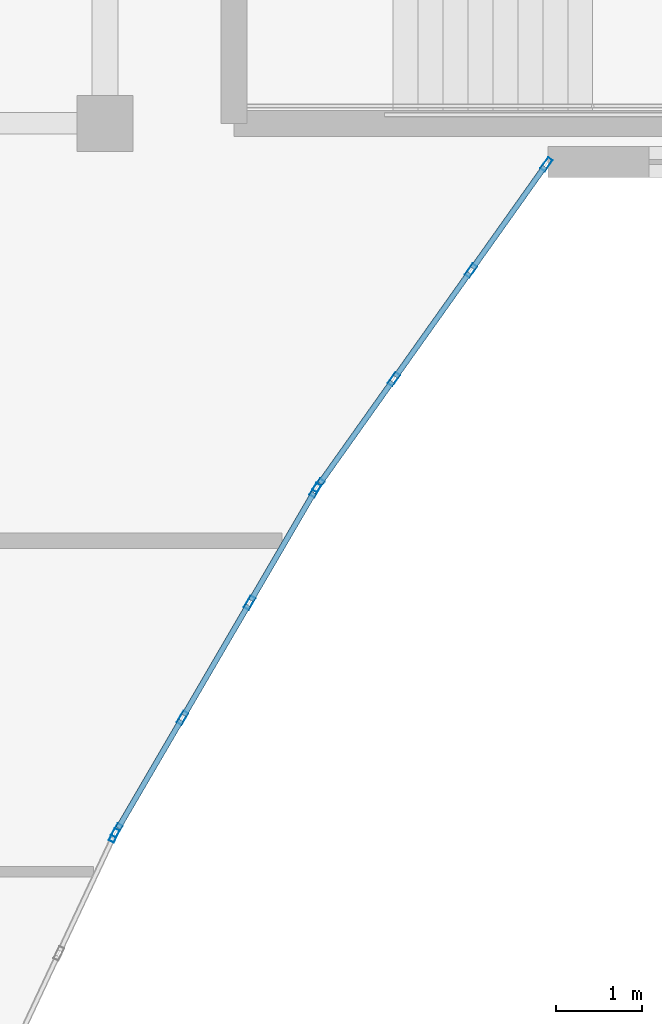
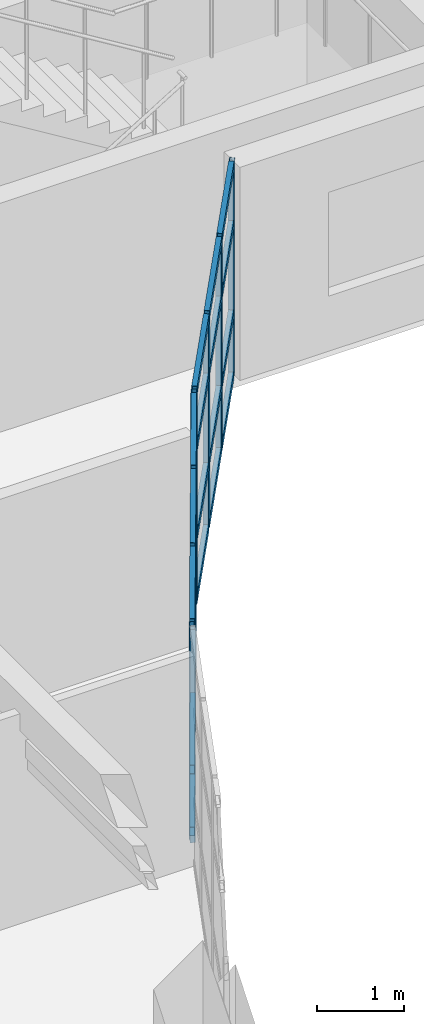
# One storey, part 42 of 128: 33 members, 3 elements without a shape of their own.
"""IFC4 building model written with IfcOpenShell, lengths in metres."""

from ifc_helpers import new_model, si_unit, direction, frame, origin, origin_2d, place, context, subcontext, project, spatial, hollow_rectangle, extrude, material, layer, layer_set, material_profile, profile_set, type_object, element, aggregate, save


model = new_model("IFC4")

# Units and contexts
model_context = context("Model", 3, precision=1e-05, world=origin(), true_north=direction((0.0, 1.0)))
body_context = subcontext(model_context, "Body", "Model", "MODEL_VIEW")
ifc_project = project(units=[si_unit("LENGTHUNIT", "METRE"), si_unit("AREAUNIT", "SQUARE_METRE"), si_unit("VOLUMEUNIT", "CUBIC_METRE"), si_unit("PLANEANGLEUNIT", "RADIAN"), si_unit("MASSUNIT", "GRAM", prefix="KILO")], contexts=[model_context])

# Site, building, storey
site_placement = place(None, origin())
site = spatial("IfcSite", under=ifc_project, at=site_placement, CompositionType="ELEMENT")
building_placement = place(site_placement, origin())
building = spatial("IfcBuilding", under=site, at=building_placement, Name="Keldmere Railside Commons", CompositionType="ELEMENT")
storey_placement = place(building_placement, frame((0.0, 0.0, 4.159912109375)))
storey = spatial("IfcBuildingStorey", under=building, at=storey_placement, Name="L01", CompositionType="ELEMENT", Elevation=4.159912109375)

# Curtain wall, member
ifc_material = material(Name="Thermally Broken Aluminium", Category="aluminium")
ifc_layer_1 = layer(ifc_material, 0.159912109375, Name="Court Chord Wintergarden CW 4800x2850")
ifc_layer_set_1 = layer_set([ifc_layer_1], Name="Thermally Broken Aluminium")
curtain_wall_type_1 = type_object("IfcCurtainWallType", Name="Court Chord Wintergarden CW 4800x2850", PredefinedType="NOTDEFINED", material=ifc_layer_set_1)
curtain_wall_1_placement = place(storey_placement, origin())
curtain_wall_1 = element("IfcCurtainWall", 1, at=curtain_wall_1_placement, inside=storey, type_object=curtain_wall_type_1, Name="CW-12 CW-L01-004", PredefinedType="NOTDEFINED")
ifc_material_profile_1 = material_profile(ifc_material, hollow_rectangle(XDim=0.06494140625, YDim=0.159912109375, WallThickness=0.00390625, at=origin_2d()), Name="ALU-MULL-65x160")
ifc_profile_set_1 = profile_set([ifc_material_profile_1], Name="Thermally Broken Aluminium")
member_type_1 = type_object("IfcMemberType", Name="Unitised Curtain Wall Mullion 65x160", PredefinedType="MULLION", material=ifc_profile_set_1)
member_1_placement = place(storey_placement, frame((25.958251953125, 92.173583984375, 0.0), z_axis=(0.0, 0.0, 1.0), x_axis=(0.905306255478, -0.424759442264, 0.0)))
member_1 = element("IfcMember", 2, at=member_1_placement, type_object=member_type_1, Name="CW-12 mullion 1", PredefinedType="MULLION", context=body_context, shape_type="SweptSolid", body=[
    extrude(hollow_rectangle(XDim=0.06494140625, YDim=0.159912109375, WallThickness=0.00390625, at=origin_2d()), origin(), (0.0, 0.0, 1.0), 2.97998046875),
])
aggregate(curtain_wall_1, [member_1])

# Curtain wall, members
ifc_layer_2 = layer(ifc_material, 0.159912109375, Name="Court Chord Wintergarden CW 5400x2850")
ifc_layer_set_2 = layer_set([ifc_layer_2], Name="Thermally Broken Aluminium")
curtain_wall_type_2 = type_object("IfcCurtainWallType", Name="Court Chord Wintergarden CW 5400x2850", PredefinedType="NOTDEFINED", material=ifc_layer_set_2)
curtain_wall_2_placement = place(storey_placement, origin())
curtain_wall_2 = element("IfcCurtainWall", 3, at=curtain_wall_2_placement, inside=storey, type_object=curtain_wall_type_2, Name="CW-13 CW-L01-005", PredefinedType="NOTDEFINED")
member_2_placement = place(storey_placement, frame((28.295654296875, 96.18603515625, 0.0), z_axis=(0.0, 0.0, 1.0), x_axis=(0.86375546846, -0.503911193272, 0.0)))
member_2 = element("IfcMember", 4, at=member_2_placement, type_object=member_type_1, Name="CW-13 mullion 1", PredefinedType="MULLION", context=body_context, shape_type="SweptSolid", body=[
    extrude(hollow_rectangle(XDim=0.06494140625, YDim=0.159912109375, WallThickness=0.00390625, at=origin_2d()), origin(), (0.0, 0.0, 1.0), 2.97998046875),
])
member_3_placement = place(storey_placement, frame((27.531982421875, 94.876953125, 0.0), z_axis=(0.0, 0.0, 1.0), x_axis=(0.86375546846, -0.503911193272, 0.0)))
member_3 = element("IfcMember", 5, at=member_3_placement, type_object=member_type_1, Name="CW-13 mullion 2", PredefinedType="MULLION", context=body_context, shape_type="SweptSolid", body=[
    extrude(hollow_rectangle(XDim=0.06494140625, YDim=0.159912109375, WallThickness=0.00390625, at=origin_2d()), origin(), (0.0, 0.0, 1.0), 2.97998046875),
])
member_4_placement = place(storey_placement, frame((26.751953125, 93.5400390625, 0.0), z_axis=(0.0, 0.0, 1.0), x_axis=(0.86375546846, -0.503911193272, 0.0)))
member_4 = element("IfcMember", 6, at=member_4_placement, type_object=member_type_1, Name="CW-13 mullion 3", PredefinedType="MULLION", context=body_context, shape_type="SweptSolid", body=[
    extrude(hollow_rectangle(XDim=0.06494140625, YDim=0.159912109375, WallThickness=0.00390625, at=origin_2d()), origin(), (0.0, 0.0, 1.0), 2.97998046875),
])
member_5_placement = place(storey_placement, frame((25.98828125, 92.23095703125, 0.0), z_axis=(0.0, 0.0, 1.0), x_axis=(0.86375546846, -0.503911193272, 0.0)))
member_5 = element("IfcMember", 7, at=member_5_placement, type_object=member_type_1, Name="CW-13 mullion 4", PredefinedType="MULLION", context=body_context, shape_type="SweptSolid", body=[
    extrude(hollow_rectangle(XDim=0.06494140625, YDim=0.159912109375, WallThickness=0.00390625, at=origin_2d()), origin(), (0.0, 0.0, 1.0), 2.97998046875),
])

curtain_wall_3_placement = place(storey_placement, origin())
curtain_wall_3 = element("IfcCurtainWall", 8, at=curtain_wall_3_placement, inside=storey, type_object=curtain_wall_type_1, Name="CW-12 CW-L01-006", PredefinedType="NOTDEFINED")
member_6_placement = place(storey_placement, frame((30.981201171875, 99.973388671875, 0.0), z_axis=(0.0, 0.0, 1.0), x_axis=(0.815389084395, -0.578913327753, 0.0)))
member_6 = element("IfcMember", 9, at=member_6_placement, type_object=member_type_1, Name="CW-12 mullion 1", PredefinedType="MULLION", context=body_context, shape_type="SweptSolid", body=[
    extrude(hollow_rectangle(XDim=0.06494140625, YDim=0.159912109375, WallThickness=0.00390625, at=origin_2d()), origin(), (0.0, 0.0, 1.0), 2.97998046875),
])
member_7_placement = place(storey_placement, frame((30.10400390625, 98.738037109375, 0.0), z_axis=(0.0, 0.0, 1.0), x_axis=(0.815389084395, -0.578913327753, 0.0)))
member_7 = element("IfcMember", 10, at=member_7_placement, type_object=member_type_1, Name="CW-12 mullion 2", PredefinedType="MULLION", context=body_context, shape_type="SweptSolid", body=[
    extrude(hollow_rectangle(XDim=0.06494140625, YDim=0.159912109375, WallThickness=0.00390625, at=origin_2d()), origin(), (0.0, 0.0, 1.0), 2.97998046875),
])
member_8_placement = place(storey_placement, frame((29.2080078125, 97.47607421875, 0.0), z_axis=(0.0, 0.0, 1.0), x_axis=(0.815389084395, -0.578913327753, 0.0)))
member_8 = element("IfcMember", 11, at=member_8_placement, type_object=member_type_1, Name="CW-12 mullion 3", PredefinedType="MULLION", context=body_context, shape_type="SweptSolid", body=[
    extrude(hollow_rectangle(XDim=0.06494140625, YDim=0.159912109375, WallThickness=0.00390625, at=origin_2d()), origin(), (0.0, 0.0, 1.0), 2.97998046875),
])
member_9_placement = place(storey_placement, frame((28.330810546875, 96.240478515625, 0.0), z_axis=(0.0, 0.0, 1.0), x_axis=(0.815389084395, -0.578913327753, 0.0)))
member_9 = element("IfcMember", 12, at=member_9_placement, type_object=member_type_1, Name="CW-12 mullion 4", PredefinedType="MULLION", context=body_context, shape_type="SweptSolid", body=[
    extrude(hollow_rectangle(XDim=0.06494140625, YDim=0.159912109375, WallThickness=0.00390625, at=origin_2d()), origin(), (0.0, 0.0, 1.0), 2.97998046875),
])

# Member
ifc_material_profile_2 = material_profile(ifc_material, hollow_rectangle(XDim=0.06494140625, YDim=0.1201171875, WallThickness=0.00390625, at=origin_2d()), Name="ALU-TRAN-65x120")
ifc_profile_set_2 = profile_set([ifc_material_profile_2], Name="Thermally Broken Aluminium")
member_type_2 = type_object("IfcMemberType", Name="Unitised Curtain Wall Transom 65x120", PredefinedType="USERDEFINED", material=ifc_profile_set_2)
member_10_placement = place(storey_placement, frame((28.279296875, 96.157958984375, 0.032470703125), z_axis=(-0.503912883812, -0.863754482205, 0.0), x_axis=(0.863754482205, -0.503912883812, 0.0)))
member_10 = element("IfcMember", 13, at=member_10_placement, type_object=member_type_2, Name="CW-13 transom 1.1", ObjectType="TRANSOM", PredefinedType="USERDEFINED", context=body_context, shape_type="SweptSolid", body=[
    extrude(hollow_rectangle(XDim=0.06494140625, YDim=0.1201171875, WallThickness=0.00390625, at=origin_2d()), origin(), (0.0, 0.0, 1.0), 1.45068359375),
])

member_11_placement = place(storey_placement, frame((28.279296875, 96.157958984375, 0.900146484375), z_axis=(-0.503912883812, -0.863754482205, 0.0), x_axis=(0.863754482205, -0.503912883812, 0.0)))
member_11 = element("IfcMember", 14, at=member_11_placement, type_object=member_type_2, Name="CW-13 transom 1.2", ObjectType="TRANSOM", PredefinedType="USERDEFINED", context=body_context, shape_type="SweptSolid", body=[
    extrude(hollow_rectangle(XDim=0.06494140625, YDim=0.1201171875, WallThickness=0.00390625, at=origin_2d()), origin(), (0.0, 0.0, 1.0), 1.45068359375),
])

member_12_placement = place(storey_placement, frame((28.279296875, 96.157958984375, 2.150146484375), z_axis=(-0.503912883812, -0.863754482205, 0.0), x_axis=(0.863754482205, -0.503912883812, 0.0)))
member_12 = element("IfcMember", 15, at=member_12_placement, type_object=member_type_2, Name="CW-13 transom 1.3", ObjectType="TRANSOM", PredefinedType="USERDEFINED", context=body_context, shape_type="SweptSolid", body=[
    extrude(hollow_rectangle(XDim=0.06494140625, YDim=0.1201171875, WallThickness=0.00390625, at=origin_2d()), origin(), (0.0, 0.0, 1.0), 1.45068359375),
])

member_13_placement = place(storey_placement, frame((28.279296875, 96.157958984375, 2.947509765625), z_axis=(-0.503912883812, -0.863754482205, 0.0), x_axis=(0.863754482205, -0.503912883812, 0.0)))
member_13 = element("IfcMember", 16, at=member_13_placement, type_object=member_type_2, Name="CW-13 transom 1.4", ObjectType="TRANSOM", PredefinedType="USERDEFINED", context=body_context, shape_type="SweptSolid", body=[
    extrude(hollow_rectangle(XDim=0.06494140625, YDim=0.1201171875, WallThickness=0.00390625, at=origin_2d()), origin(), (0.0, 0.0, 1.0), 1.45068359375),
])

member_14_placement = place(storey_placement, frame((27.515625, 94.848876953125, 0.032470703125), z_axis=(-0.503973390927, -0.863719179616, 0.0), x_axis=(0.863719179616, -0.503973390927, 0.0)))
member_14 = element("IfcMember", 17, at=member_14_placement, type_object=member_type_2, Name="CW-13 transom 2.1", ObjectType="TRANSOM", PredefinedType="USERDEFINED", context=body_context, shape_type="SweptSolid", body=[
    extrude(hollow_rectangle(XDim=0.06494140625, YDim=0.1201171875, WallThickness=0.00390625, at=origin_2d()), origin(), (0.0, 0.0, 1.0), 1.48291015625),
])

member_15_placement = place(storey_placement, frame((27.515625, 94.848876953125, 0.900146484375), z_axis=(-0.503973390927, -0.863719179616, 0.0), x_axis=(0.863719179616, -0.503973390927, 0.0)))
member_15 = element("IfcMember", 18, at=member_15_placement, type_object=member_type_2, Name="CW-13 transom 2.2", ObjectType="TRANSOM", PredefinedType="USERDEFINED", context=body_context, shape_type="SweptSolid", body=[
    extrude(hollow_rectangle(XDim=0.06494140625, YDim=0.1201171875, WallThickness=0.00390625, at=origin_2d()), origin(), (0.0, 0.0, 1.0), 1.48291015625),
])

member_16_placement = place(storey_placement, frame((27.515625, 94.848876953125, 2.150146484375), z_axis=(-0.503973390927, -0.863719179616, 0.0), x_axis=(0.863719179616, -0.503973390927, 0.0)))
member_16 = element("IfcMember", 19, at=member_16_placement, type_object=member_type_2, Name="CW-13 transom 2.3", ObjectType="TRANSOM", PredefinedType="USERDEFINED", context=body_context, shape_type="SweptSolid", body=[
    extrude(hollow_rectangle(XDim=0.06494140625, YDim=0.1201171875, WallThickness=0.00390625, at=origin_2d()), origin(), (0.0, 0.0, 1.0), 1.48291015625),
])

member_17_placement = place(storey_placement, frame((27.515625, 94.848876953125, 2.947509765625), z_axis=(-0.503973390927, -0.863719179616, 0.0), x_axis=(0.863719179616, -0.503973390927, 0.0)))
member_17 = element("IfcMember", 20, at=member_17_placement, type_object=member_type_2, Name="CW-13 transom 2.4", ObjectType="TRANSOM", PredefinedType="USERDEFINED", context=body_context, shape_type="SweptSolid", body=[
    extrude(hollow_rectangle(XDim=0.06494140625, YDim=0.1201171875, WallThickness=0.00390625, at=origin_2d()), origin(), (0.0, 0.0, 1.0), 1.48291015625),
])

member_18_placement = place(storey_placement, frame((26.735595703125, 93.511962890625, 0.032470703125), z_axis=(-0.503912883812, -0.863754482205, 0.0), x_axis=(0.863754482205, -0.503912883812, 0.0)))
member_18 = element("IfcMember", 21, at=member_18_placement, type_object=member_type_2, Name="CW-13 transom 3.1", ObjectType="TRANSOM", PredefinedType="USERDEFINED", context=body_context, shape_type="SweptSolid", body=[
    extrude(hollow_rectangle(XDim=0.06494140625, YDim=0.1201171875, WallThickness=0.00390625, at=origin_2d()), origin(), (0.0, 0.0, 1.0), 1.45068359375),
])

member_19_placement = place(storey_placement, frame((26.735595703125, 93.511962890625, 0.900146484375), z_axis=(-0.503912883812, -0.863754482205, 0.0), x_axis=(0.863754482205, -0.503912883812, 0.0)))
member_19 = element("IfcMember", 22, at=member_19_placement, type_object=member_type_2, Name="CW-13 transom 3.2", ObjectType="TRANSOM", PredefinedType="USERDEFINED", context=body_context, shape_type="SweptSolid", body=[
    extrude(hollow_rectangle(XDim=0.06494140625, YDim=0.1201171875, WallThickness=0.00390625, at=origin_2d()), origin(), (0.0, 0.0, 1.0), 1.45068359375),
])

member_20_placement = place(storey_placement, frame((26.735595703125, 93.511962890625, 2.150146484375), z_axis=(-0.503912883812, -0.863754482205, 0.0), x_axis=(0.863754482205, -0.503912883812, 0.0)))
member_20 = element("IfcMember", 23, at=member_20_placement, type_object=member_type_2, Name="CW-13 transom 3.3", ObjectType="TRANSOM", PredefinedType="USERDEFINED", context=body_context, shape_type="SweptSolid", body=[
    extrude(hollow_rectangle(XDim=0.06494140625, YDim=0.1201171875, WallThickness=0.00390625, at=origin_2d()), origin(), (0.0, 0.0, 1.0), 1.45068359375),
])

member_21_placement = place(storey_placement, frame((26.735595703125, 93.511962890625, 2.947509765625), z_axis=(-0.503912883812, -0.863754482205, 0.0), x_axis=(0.863754482205, -0.503912883812, 0.0)))
member_21 = element("IfcMember", 24, at=member_21_placement, type_object=member_type_2, Name="CW-13 transom 3.4", ObjectType="TRANSOM", PredefinedType="USERDEFINED", context=body_context, shape_type="SweptSolid", body=[
    extrude(hollow_rectangle(XDim=0.06494140625, YDim=0.1201171875, WallThickness=0.00390625, at=origin_2d()), origin(), (0.0, 0.0, 1.0), 1.45068359375),
])

aggregate(curtain_wall_2, [member_2, member_3, member_4, member_5, member_10, member_11, member_12, member_13, member_14, member_15, member_16, member_17, member_18, member_19, member_20, member_21])

member_22_placement = place(storey_placement, frame((30.96240234375, 99.947021484375, 0.032470703125), z_axis=(-0.578895059002, -0.815402054611, 0.0), x_axis=(0.815402054611, -0.578895059002, 0.0)))
member_22 = element("IfcMember", 25, at=member_22_placement, type_object=member_type_2, Name="CW-12 transom 1.1", ObjectType="TRANSOM", PredefinedType="USERDEFINED", context=body_context, shape_type="SweptSolid", body=[
    extrude(hollow_rectangle(XDim=0.06494140625, YDim=0.1201171875, WallThickness=0.00390625, at=origin_2d()), origin(), (0.0, 0.0, 1.0), 1.450439453125),
])

member_23_placement = place(storey_placement, frame((30.96240234375, 99.947021484375, 0.900146484375), z_axis=(-0.578895059002, -0.815402054611, 0.0), x_axis=(0.815402054611, -0.578895059002, 0.0)))
member_23 = element("IfcMember", 26, at=member_23_placement, type_object=member_type_2, Name="CW-12 transom 1.2", ObjectType="TRANSOM", PredefinedType="USERDEFINED", context=body_context, shape_type="SweptSolid", body=[
    extrude(hollow_rectangle(XDim=0.06494140625, YDim=0.1201171875, WallThickness=0.00390625, at=origin_2d()), origin(), (0.0, 0.0, 1.0), 1.450439453125),
])

member_24_placement = place(storey_placement, frame((30.96240234375, 99.947021484375, 2.150146484375), z_axis=(-0.578895059002, -0.815402054611, 0.0), x_axis=(0.815402054611, -0.578895059002, 0.0)))
member_24 = element("IfcMember", 27, at=member_24_placement, type_object=member_type_2, Name="CW-12 transom 1.3", ObjectType="TRANSOM", PredefinedType="USERDEFINED", context=body_context, shape_type="SweptSolid", body=[
    extrude(hollow_rectangle(XDim=0.06494140625, YDim=0.1201171875, WallThickness=0.00390625, at=origin_2d()), origin(), (0.0, 0.0, 1.0), 1.450439453125),
])

member_25_placement = place(storey_placement, frame((30.96240234375, 99.947021484375, 2.947509765625), z_axis=(-0.578895059002, -0.815402054611, 0.0), x_axis=(0.815402054611, -0.578895059002, 0.0)))
member_25 = element("IfcMember", 28, at=member_25_placement, type_object=member_type_2, Name="CW-12 transom 1.4", ObjectType="TRANSOM", PredefinedType="USERDEFINED", context=body_context, shape_type="SweptSolid", body=[
    extrude(hollow_rectangle(XDim=0.06494140625, YDim=0.1201171875, WallThickness=0.00390625, at=origin_2d()), origin(), (0.0, 0.0, 1.0), 1.450439453125),
])

member_26_placement = place(storey_placement, frame((30.085205078125, 98.71142578125, 0.032470703125), z_axis=(-0.578930676765, -0.815376766593, 0.0), x_axis=(0.815376766593, -0.578930676765, 0.0)))
member_26 = element("IfcMember", 29, at=member_26_placement, type_object=member_type_2, Name="CW-12 transom 2.1", ObjectType="TRANSOM", PredefinedType="USERDEFINED", context=body_context, shape_type="SweptSolid", body=[
    extrude(hollow_rectangle(XDim=0.06494140625, YDim=0.1201171875, WallThickness=0.00390625, at=origin_2d()), origin(), (0.0, 0.0, 1.0), 1.482666015625),
])

member_27_placement = place(storey_placement, frame((30.085205078125, 98.71142578125, 0.900146484375), z_axis=(-0.578930676765, -0.815376766593, 0.0), x_axis=(0.815376766593, -0.578930676765, 0.0)))
member_27 = element("IfcMember", 30, at=member_27_placement, type_object=member_type_2, Name="CW-12 transom 2.2", ObjectType="TRANSOM", PredefinedType="USERDEFINED", context=body_context, shape_type="SweptSolid", body=[
    extrude(hollow_rectangle(XDim=0.06494140625, YDim=0.1201171875, WallThickness=0.00390625, at=origin_2d()), origin(), (0.0, 0.0, 1.0), 1.482666015625),
])

member_28_placement = place(storey_placement, frame((30.085205078125, 98.71142578125, 2.150146484375), z_axis=(-0.578930676765, -0.815376766593, 0.0), x_axis=(0.815376766593, -0.578930676765, 0.0)))
member_28 = element("IfcMember", 31, at=member_28_placement, type_object=member_type_2, Name="CW-12 transom 2.3", ObjectType="TRANSOM", PredefinedType="USERDEFINED", context=body_context, shape_type="SweptSolid", body=[
    extrude(hollow_rectangle(XDim=0.06494140625, YDim=0.1201171875, WallThickness=0.00390625, at=origin_2d()), origin(), (0.0, 0.0, 1.0), 1.482666015625),
])

member_29_placement = place(storey_placement, frame((30.085205078125, 98.71142578125, 2.947509765625), z_axis=(-0.578930676765, -0.815376766593, 0.0), x_axis=(0.815376766593, -0.578930676765, 0.0)))
member_29 = element("IfcMember", 32, at=member_29_placement, type_object=member_type_2, Name="CW-12 transom 2.4", ObjectType="TRANSOM", PredefinedType="USERDEFINED", context=body_context, shape_type="SweptSolid", body=[
    extrude(hollow_rectangle(XDim=0.06494140625, YDim=0.1201171875, WallThickness=0.00390625, at=origin_2d()), origin(), (0.0, 0.0, 1.0), 1.482666015625),
])

member_30_placement = place(storey_placement, frame((29.189208984375, 97.449462890625, 0.032470703125), z_axis=(-0.578974525468, -0.815345631533, 0.0), x_axis=(0.815345631533, -0.578974525468, 0.0)))
member_30 = element("IfcMember", 33, at=member_30_placement, type_object=member_type_2, Name="CW-12 transom 3.1", ObjectType="TRANSOM", PredefinedType="USERDEFINED", context=body_context, shape_type="SweptSolid", body=[
    extrude(hollow_rectangle(XDim=0.06494140625, YDim=0.1201171875, WallThickness=0.00390625, at=origin_2d()), origin(), (0.0, 0.0, 1.0), 1.4501953125),
])

member_31_placement = place(storey_placement, frame((29.189208984375, 97.449462890625, 0.900146484375), z_axis=(-0.578974525468, -0.815345631533, 0.0), x_axis=(0.815345631533, -0.578974525468, 0.0)))
member_31 = element("IfcMember", 34, at=member_31_placement, type_object=member_type_2, Name="CW-12 transom 3.2", ObjectType="TRANSOM", PredefinedType="USERDEFINED", context=body_context, shape_type="SweptSolid", body=[
    extrude(hollow_rectangle(XDim=0.06494140625, YDim=0.1201171875, WallThickness=0.00390625, at=origin_2d()), origin(), (0.0, 0.0, 1.0), 1.4501953125),
])

member_32_placement = place(storey_placement, frame((29.189208984375, 97.449462890625, 2.150146484375), z_axis=(-0.578974525468, -0.815345631533, 0.0), x_axis=(0.815345631533, -0.578974525468, 0.0)))
member_32 = element("IfcMember", 35, at=member_32_placement, type_object=member_type_2, Name="CW-12 transom 3.3", ObjectType="TRANSOM", PredefinedType="USERDEFINED", context=body_context, shape_type="SweptSolid", body=[
    extrude(hollow_rectangle(XDim=0.06494140625, YDim=0.1201171875, WallThickness=0.00390625, at=origin_2d()), origin(), (0.0, 0.0, 1.0), 1.4501953125),
])

member_33_placement = place(storey_placement, frame((29.189208984375, 97.449462890625, 2.947509765625), z_axis=(-0.578974525468, -0.815345631533, 0.0), x_axis=(0.815345631533, -0.578974525468, 0.0)))
member_33 = element("IfcMember", 36, at=member_33_placement, type_object=member_type_2, Name="CW-12 transom 3.4", ObjectType="TRANSOM", PredefinedType="USERDEFINED", context=body_context, shape_type="SweptSolid", body=[
    extrude(hollow_rectangle(XDim=0.06494140625, YDim=0.1201171875, WallThickness=0.00390625, at=origin_2d()), origin(), (0.0, 0.0, 1.0), 1.4501953125),
])

aggregate(curtain_wall_3, [member_6, member_7, member_8, member_9, member_22, member_23, member_24, member_25, member_26, member_27, member_28, member_29, member_30, member_31, member_32, member_33])

save(model, "model.ifc")
